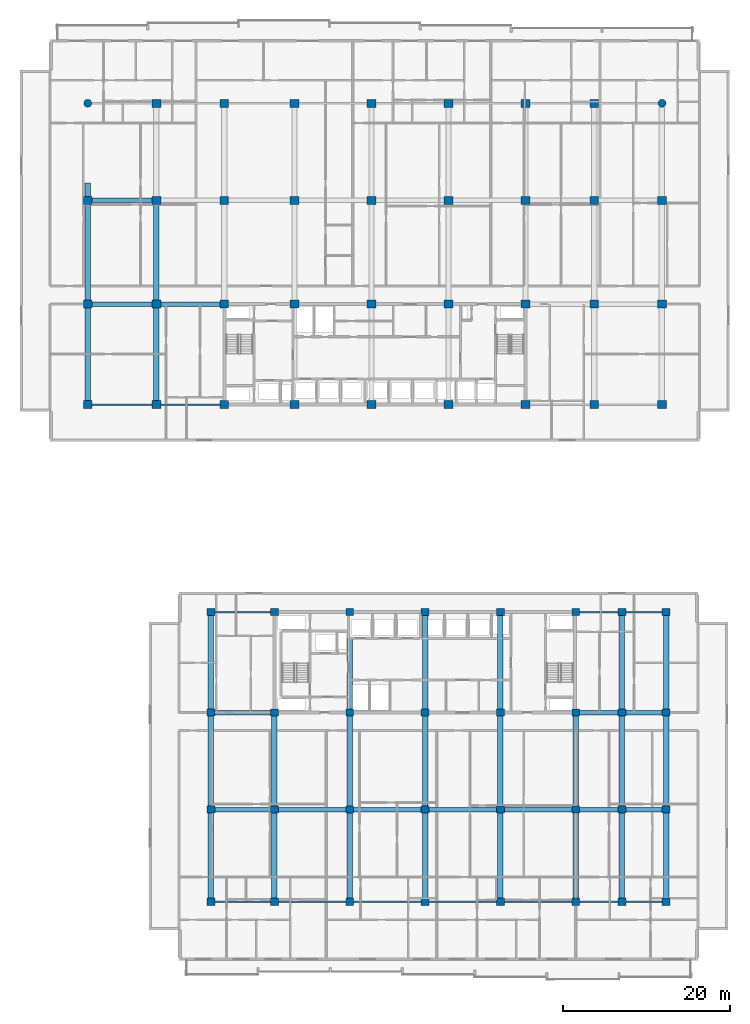
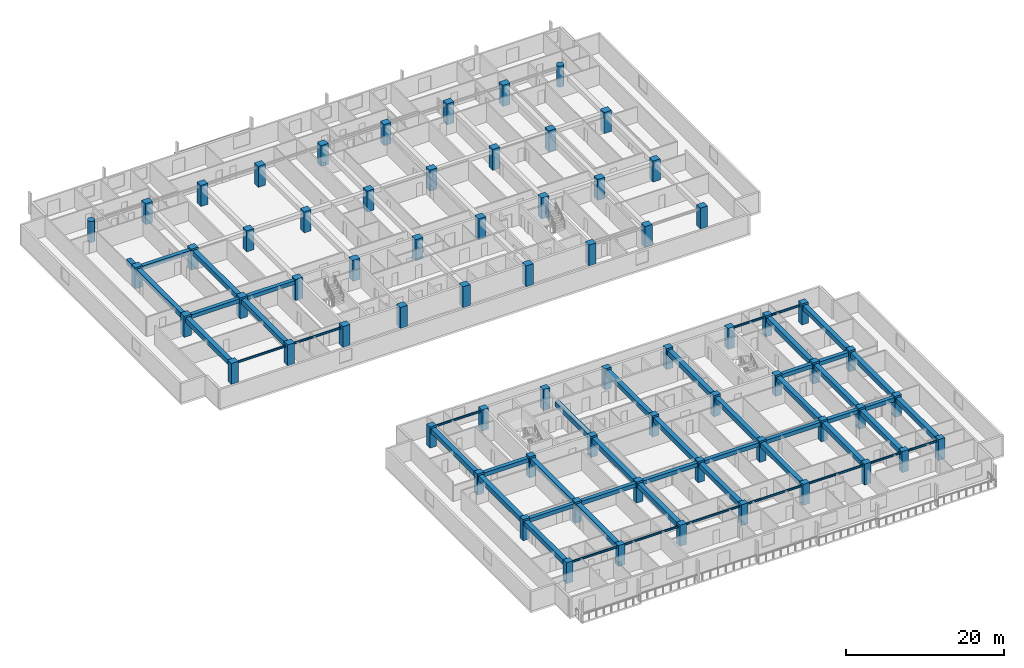
# One storey, part 1 of 23: 68 columns, 52 beams.
"""IFC4 building model written with IfcOpenShell, lengths in metres."""

from ifc_helpers import new_model, si_unit, direction, frame, origin, origin_2d, place, context, subcontext, project, spatial, rectangle, circle, i_section, extrude, material, material_profile, profile_set, type_object, element, save


model = new_model("IFC4")

# Units and contexts
model_context = context("Model", 3, precision=1e-05, world=origin(), true_north=direction((0.0, 1.0)))
body_context = subcontext(model_context, "Body", "Model", "MODEL_VIEW")
ifc_project = project(units=[si_unit("LENGTHUNIT", "METRE"), si_unit("AREAUNIT", "SQUARE_METRE"), si_unit("VOLUMEUNIT", "CUBIC_METRE"), si_unit("PLANEANGLEUNIT", "RADIAN"), si_unit("MASSUNIT", "GRAM", prefix="KILO")], contexts=[model_context])

# Site, building, storey
site_placement = place(None, origin())
site = spatial("IfcSite", under=ifc_project, at=site_placement, CompositionType="ELEMENT")
building_placement = place(site_placement, origin())
building = spatial("IfcBuilding", under=site, at=building_placement, Name="Korimba Cascade Residences", CompositionType="ELEMENT")
storey_placement = place(building_placement, frame((0.0, 0.0, 72.75)))
storey = spatial("IfcBuildingStorey", under=building, at=storey_placement, Name="L20", CompositionType="ELEMENT", Elevation=72.75)

# Columns
ifc_material_1 = material(Name="Concrete C80/95", Category="concrete")
ifc_material_profile_1 = material_profile(ifc_material_1, rectangle(XDim=1.050048828125, YDim=0.949951171875, at=origin_2d()), Name="Concrete C80/95")
ifc_profile_set_1 = profile_set([ifc_material_profile_1], Name="Concrete C80/95")
column_type_1 = type_object("IfcColumnType", Name="COL-RC-1050", PredefinedType="COLUMN", material=ifc_profile_set_1)
for number, where, z_axis, x_axis, name in (
    (1, (59.800048828125, 55.199951171875, 0.0), (0.0, 0.0, 1.0), (1.0, 0.0, 0.0), "L20 Tower 1 Column 1.1"),
    (2, (59.800048828125, 67.199951171875, 0.0), (0.0, 0.0, 1.0), (1.0, 0.0, 0.0), "L20 Tower 1 Column 1.2"),
    (3, (59.800048828125, 79.60009765625, 0.0), (0.0, 0.0, 1.0), (1.0, 0.0, 0.0), "L20 Tower 1 Column 1.3"),
    (4, (68.0, 55.199951171875, 0.0), (0.0, 0.0, 1.0), (1.0, 0.0, 0.0), "L20 Tower 1 Column 2.1"),
    (5, (68.0, 67.199951171875, 0.0), (0.0, 0.0, 1.0), (1.0, 0.0, 0.0), "L20 Tower 1 Column 2.2"),
    (6, (68.0, 79.60009765625, 0.0), (0.0, 0.0, 1.0), (1.0, 0.0, 0.0), "L20 Tower 1 Column 2.3"),
    (7, (68.0, 91.199951171875, 0.0), (0.0, 0.0, 1.0), (1.0, 0.0, 0.0), "L20 Tower 1 Column 2.4"),
    (8, (76.10009765625, 55.199951171875, 0.0), (0.0, 0.0, 1.0), (1.0, 0.0, 0.0), "L20 Tower 1 Column 3.1"),
    (9, (76.10009765625, 67.199951171875, 0.0), (0.0, 0.0, 1.0), (1.0, 0.0, 0.0), "L20 Tower 1 Column 3.2"),
    (10, (76.10009765625, 79.60009765625, 0.0), (0.0, 0.0, 1.0), (1.0, 0.0, 0.0), "L20 Tower 1 Column 3.3"),
    (11, (76.10009765625, 91.199951171875, 0.0), (0.0, 0.0, 1.0), (1.0, 0.0, 0.0), "L20 Tower 1 Column 3.4"),
    (12, (84.5, 55.199951171875, 0.0), (0.0, 0.0, 1.0), (1.0, 0.0, 0.0), "L20 Tower 1 Column 4.1"),
    (13, (84.5, 67.199951171875, 0.0), (0.0, 0.0, 1.0), (1.0, 0.0, 0.0), "L20 Tower 1 Column 4.2"),
    (14, (84.5, 79.60009765625, 0.0), (0.0, 0.0, 1.0), (1.0, 0.0, 0.0), "L20 Tower 1 Column 4.3"),
    (15, (84.5, 91.199951171875, 0.0), (0.0, 0.0, 1.0), (1.0, 0.0, 0.0), "L20 Tower 1 Column 4.4"),
    (16, (93.699951171875, 55.199951171875, 0.0), (0.0, 0.0, 1.0), (1.0, 0.0, 0.0), "L20 Tower 1 Column 5.1"),
    (17, (93.699951171875, 67.199951171875, 0.0), (0.0, 0.0, 1.0), (1.0, 0.0, 0.0), "L20 Tower 1 Column 5.2"),
    (18, (93.699951171875, 79.60009765625, 0.0), (0.0, 0.0, 1.0), (1.0, 0.0, 0.0), "L20 Tower 1 Column 5.3"),
    (19, (93.699951171875, 91.199951171875, 0.0), (0.0, 0.0, 1.0), (1.0, 0.0, 0.0), "L20 Tower 1 Column 5.4"),
    (20, (102.89990234375, 55.199951171875, 0.0), (0.0, 0.0, 1.0), (1.0, 0.0, 0.0), "L20 Tower 1 Column 6.1"),
    (21, (102.89990234375, 67.199951171875, 0.0), (0.0, 0.0, 1.0), (1.0, 0.0, 0.0), "L20 Tower 1 Column 6.2"),
    (22, (102.89990234375, 79.60009765625, 0.0), (0.0, 0.0, 1.0), (1.0, 0.0, 0.0), "L20 Tower 1 Column 6.3"),
    (23, (102.89990234375, 91.199951171875, 0.0), (0.0, 0.0, 1.0), (1.0, 0.0, 0.0), "L20 Tower 1 Column 6.4"),
    (24, (112.10009765625, 55.199951171875, 0.0), (0.0, 0.0, 1.0), (1.0, 0.0, 0.0), "L20 Tower 1 Column 7.1"),
    (25, (112.10009765625, 67.199951171875, 0.0), (0.0, 0.0, 1.0), (1.0, 0.0, 0.0), "L20 Tower 1 Column 7.2"),
    (26, (112.10009765625, 79.60009765625, 0.0), (0.0, 0.0, 1.0), (1.0, 0.0, 0.0), "L20 Tower 1 Column 7.3"),
    (27, (112.10009765625, 91.199951171875, 0.0), (0.0, 0.0, 1.0), (1.0, 0.0, 0.0), "L20 Tower 1 Column 7.4"),
    (28, (120.300048828125, 55.199951171875, 0.0), (0.0, 0.0, 1.0), (1.0, 0.0, 0.0), "L20 Tower 1 Column 8.1"),
    (29, (120.300048828125, 67.199951171875, 0.0), (0.0, 0.0, 1.0), (1.0, 0.0, 0.0), "L20 Tower 1 Column 8.2"),
    (30, (120.300048828125, 79.60009765625, 0.0), (0.0, 0.0, 1.0), (1.0, 0.0, 0.0), "L20 Tower 1 Column 8.3"),
    (31, (120.300048828125, 91.199951171875, 0.0), (0.0, 0.0, 1.0), (1.0, 0.0, 0.0), "L20 Tower 1 Column 8.4"),
    (32, (128.39990234375, 55.199951171875, 0.0), (0.0, 0.0, 1.0), (1.0, 0.0, 0.0), "L20 Tower 1 Column 9.1"),
    (33, (128.39990234375, 67.199951171875, 0.0), (0.0, 0.0, 1.0), (1.0, 0.0, 0.0), "L20 Tower 1 Column 9.2"),
    (34, (128.39990234375, 79.60009765625, 0.0), (0.0, 0.0, 1.0), (1.0, 0.0, 0.0), "L20 Tower 1 Column 9.3"),
):
    element("IfcColumn", number, at=place(storey_placement, frame(where, z_axis=z_axis, x_axis=x_axis)), inside=storey, type_object=column_type_1, Name=name, PredefinedType="COLUMN", context=body_context, shape_type="SweptSolid", body=[
        extrude(rectangle(XDim=1.050048828125, YDim=0.949951171875, at=origin_2d()), origin(), (0.0, 0.0, 1.0), 3.25),
    ])
ifc_material_2 = material(Name="Concrete C65/80", Category="concrete")
ifc_material_profile_2 = material_profile(ifc_material_2, rectangle(XDim=0.949951171875, YDim=0.85009765625, at=origin_2d()), Name="Concrete C65/80")
ifc_profile_set_2 = profile_set([ifc_material_profile_2], Name="Concrete C65/80")
column_type_2 = type_object("IfcColumnType", Name="COL-RC-950", PredefinedType="COLUMN", material=ifc_profile_set_2)
for number, where, z_axis, x_axis, name in (
    (35, (74.5, -4.199951171875, 0.0), (0.0, 0.0, 1.0), (1.0, 0.0, 0.0), "L20 Tower 2 Column 1.1"),
    (36, (74.5, 6.800048828125, 0.0), (0.0, 0.0, 1.0), (1.0, 0.0, 0.0), "L20 Tower 2 Column 1.2"),
    (37, (74.5, 18.39990234375, 0.0), (0.0, 0.0, 1.0), (1.0, 0.0, 0.0), "L20 Tower 2 Column 1.3"),
    (38, (74.5, 30.39990234375, 0.0), (0.0, 0.0, 1.0), (1.0, 0.0, 0.0), "L20 Tower 2 Column 1.4"),
    (39, (82.10009765625, -4.199951171875, 0.0), (0.0, 0.0, 1.0), (1.0, 0.0, 0.0), "L20 Tower 2 Column 2.1"),
    (40, (82.10009765625, 6.800048828125, 0.0), (0.0, 0.0, 1.0), (1.0, 0.0, 0.0), "L20 Tower 2 Column 2.2"),
    (41, (82.10009765625, 18.39990234375, 0.0), (0.0, 0.0, 1.0), (1.0, 0.0, 0.0), "L20 Tower 2 Column 2.3"),
    (42, (82.10009765625, 30.39990234375, 0.0), (0.0, 0.0, 1.0), (1.0, 0.0, 0.0), "L20 Tower 2 Column 2.4"),
    (43, (91.10009765625, -4.199951171875, 0.0), (0.0, 0.0, 1.0), (1.0, 0.0, 0.0), "L20 Tower 2 Column 3.1"),
    (44, (91.10009765625, 6.800048828125, 0.0), (0.0, 0.0, 1.0), (1.0, 0.0, 0.0), "L20 Tower 2 Column 3.2"),
    (45, (91.10009765625, 18.39990234375, 0.0), (0.0, 0.0, 1.0), (1.0, 0.0, 0.0), "L20 Tower 2 Column 3.3"),
    (46, (91.10009765625, 30.39990234375, 0.0), (0.0, 0.0, 1.0), (1.0, 0.0, 0.0), "L20 Tower 2 Column 3.4"),
    (47, (100.10009765625, -4.199951171875, 0.0), (0.0, 0.0, 1.0), (1.0, 0.0, 0.0), "L20 Tower 2 Column 4.1"),
    (48, (100.10009765625, 6.800048828125, 0.0), (0.0, 0.0, 1.0), (1.0, 0.0, 0.0), "L20 Tower 2 Column 4.2"),
    (49, (100.10009765625, 18.39990234375, 0.0), (0.0, 0.0, 1.0), (1.0, 0.0, 0.0), "L20 Tower 2 Column 4.3"),
    (50, (100.10009765625, 30.39990234375, 0.0), (0.0, 0.0, 1.0), (1.0, 0.0, 0.0), "L20 Tower 2 Column 4.4"),
    (51, (109.10009765625, -4.199951171875, 0.0), (0.0, 0.0, 1.0), (1.0, 0.0, 0.0), "L20 Tower 2 Column 5.1"),
    (52, (109.10009765625, 6.800048828125, 0.0), (0.0, 0.0, 1.0), (1.0, 0.0, 0.0), "L20 Tower 2 Column 5.2"),
    (53, (109.10009765625, 18.39990234375, 0.0), (0.0, 0.0, 1.0), (1.0, 0.0, 0.0), "L20 Tower 2 Column 5.3"),
    (54, (109.10009765625, 30.39990234375, 0.0), (0.0, 0.0, 1.0), (1.0, 0.0, 0.0), "L20 Tower 2 Column 5.4"),
    (55, (118.10009765625, -4.199951171875, 0.0), (0.0, 0.0, 1.0), (1.0, 0.0, 0.0), "L20 Tower 2 Column 6.1"),
    (56, (118.10009765625, 6.800048828125, 0.0), (0.0, 0.0, 1.0), (1.0, 0.0, 0.0), "L20 Tower 2 Column 6.2"),
    (57, (118.10009765625, 18.39990234375, 0.0), (0.0, 0.0, 1.0), (1.0, 0.0, 0.0), "L20 Tower 2 Column 6.3"),
    (58, (118.10009765625, 30.39990234375, 0.0), (0.0, 0.0, 1.0), (1.0, 0.0, 0.0), "L20 Tower 2 Column 6.4"),
    (59, (123.60009765625, -4.199951171875, 0.0), (0.0, 0.0, 1.0), (1.0, 0.0, 0.0), "L20 Tower 2 Column 7.1"),
    (60, (123.60009765625, 6.800048828125, 0.0), (0.0, 0.0, 1.0), (1.0, 0.0, 0.0), "L20 Tower 2 Column 7.2"),
    (61, (123.60009765625, 18.39990234375, 0.0), (0.0, 0.0, 1.0), (1.0, 0.0, 0.0), "L20 Tower 2 Column 7.3"),
    (62, (123.60009765625, 30.39990234375, 0.0), (0.0, 0.0, 1.0), (1.0, 0.0, 0.0), "L20 Tower 2 Column 7.4"),
    (63, (128.89990234375, -4.199951171875, 0.0), (0.0, 0.0, 1.0), (1.0, 0.0, 0.0), "L20 Tower 2 Column 8.1"),
    (64, (128.89990234375, 6.800048828125, 0.0), (0.0, 0.0, 1.0), (1.0, 0.0, 0.0), "L20 Tower 2 Column 8.2"),
    (65, (128.89990234375, 18.39990234375, 0.0), (0.0, 0.0, 1.0), (1.0, 0.0, 0.0), "L20 Tower 2 Column 8.3"),
    (66, (128.89990234375, 30.39990234375, 0.0), (0.0, 0.0, 1.0), (1.0, 0.0, 0.0), "L20 Tower 2 Column 8.4"),
):
    element("IfcColumn", number, at=place(storey_placement, frame(where, z_axis=z_axis, x_axis=x_axis)), inside=storey, type_object=column_type_2, Name=name, PredefinedType="COLUMN", context=body_context, shape_type="SweptSolid", body=[
        extrude(rectangle(XDim=0.949951171875, YDim=0.85009765625, at=origin_2d()), origin(), (0.0, 0.0, 1.0), 3.25),
    ])
ifc_material_profile_3 = material_profile(ifc_material_1, circle(Radius=0.47509765625, at=origin_2d()), Name="Concrete C80/95")
ifc_profile_set_3 = profile_set([ifc_material_profile_3], Name="Concrete C80/95")
column_type_3 = type_object("IfcColumnType", Name="COL-RC-D950", PredefinedType="COLUMN", material=ifc_profile_set_3)
for number, where, z_axis, x_axis, name in (
    (67, (59.800048828125, 91.199951171875, 0.0), (0.0, 0.0, 1.0), (1.0, 0.0, 0.0), "L20 Tower 1 Column 1.4"),
    (68, (128.39990234375, 91.199951171875, 0.0), (0.0, 0.0, 1.0), (1.0, 0.0, 0.0), "L20 Tower 1 Column 9.4"),
):
    element("IfcColumn", number, at=place(storey_placement, frame(where, z_axis=z_axis, x_axis=x_axis)), inside=storey, type_object=column_type_3, Name=name, PredefinedType="COLUMN", context=body_context, shape_type="SweptSolid", body=[
        extrude(circle(Radius=0.47509765625, at=origin_2d()), origin(), (0.0, 0.0, 1.0), 3.25),
    ])

# Beams
ifc_material_3 = material(Name="Concrete C50/60", Category="concrete")
ifc_material_profile_4 = material_profile(ifc_material_3, rectangle(XDim=0.550048828125, YDim=0.60009765625, at=origin_2d()), Name="Concrete C50/60")
ifc_profile_set_4 = profile_set([ifc_material_profile_4], Name="Concrete C50/60")
beam_type_1 = type_object("IfcBeamType", Name="BM-RC-B600", PredefinedType="BEAM", material=ifc_profile_set_4)
beam_1_placement = place(storey_placement, frame((60.324951171875, 67.199951171875, 2.669921875), z_axis=(1.0, 0.0, 0.0), x_axis=(0.0, 1.0, 0.0)))
element("IfcBeam", 69, at=beam_1_placement, inside=storey, type_object=beam_type_1, Name="L20 T1 E-W Girder Y2 Bay 1", PredefinedType="BEAM", context=body_context, shape_type="SweptSolid", body=[
    extrude(rectangle(XDim=0.550048828125, YDim=0.60009765625, at=origin_2d()), origin(), (0.0, 0.0, 1.0), 7.150146484375),
])
beam_2_placement = place(storey_placement, frame((68.52490234375, 67.199951171875, 2.669921875), z_axis=(1.0, 0.0, 0.0), x_axis=(0.0, 1.0, 0.0)))
element("IfcBeam", 70, at=beam_2_placement, inside=storey, type_object=beam_type_1, Name="L20 T1 E-W Girder Y2 Bay 2", PredefinedType="BEAM", context=body_context, shape_type="SweptSolid", body=[
    extrude(rectangle(XDim=0.550048828125, YDim=0.60009765625, at=origin_2d()), origin(), (0.0, 0.0, 1.0), 7.050048828125),
])
beam_3_placement = place(storey_placement, frame((60.324951171875, 79.60009765625, 2.669921875), z_axis=(1.0, 0.0, 0.0), x_axis=(0.0, 1.0, 0.0)))
element("IfcBeam", 71, at=beam_3_placement, inside=storey, type_object=beam_type_1, Name="L20 T1 E-W Girder Y3 Bay 1", PredefinedType="BEAM", context=body_context, shape_type="SweptSolid", body=[
    extrude(rectangle(XDim=0.550048828125, YDim=0.60009765625, at=origin_2d()), origin(), (0.0, 0.0, 1.0), 7.150146484375),
])
beam_4_placement = place(storey_placement, frame((74.97509765625, 6.800048828125, 2.669921875), z_axis=(1.0, 0.0, 0.0), x_axis=(0.0, 1.0, 0.0)))
element("IfcBeam", 72, at=beam_4_placement, inside=storey, type_object=beam_type_1, Name="L20 T2 E-W Girder Y2 Bay 1", PredefinedType="BEAM", context=body_context, shape_type="SweptSolid", body=[
    extrude(rectangle(XDim=0.550048828125, YDim=0.60009765625, at=origin_2d()), origin(), (0.0, 0.0, 1.0), 6.64990234375),
])
for number, where, z_axis, x_axis, name in (
    (73, (82.574951171875, 6.800048828125, 2.669921875), (1.0, 0.0, 0.0), (0.0, 1.0, 0.0), "L20 T2 E-W Girder Y2 Bay 2"),
    (74, (91.574951171875, 6.800048828125, 2.669921875), (1.0, 0.0, 0.0), (0.0, 1.0, 0.0), "L20 T2 E-W Girder Y2 Bay 3"),
    (75, (100.574951171875, 6.800048828125, 2.669921875), (1.0, 0.0, 0.0), (0.0, 1.0, 0.0), "L20 T2 E-W Girder Y2 Bay 4"),
    (76, (109.574951171875, 6.800048828125, 2.669921875), (1.0, 0.0, 0.0), (0.0, 1.0, 0.0), "L20 T2 E-W Girder Y2 Bay 5"),
):
    element("IfcBeam", number, at=place(storey_placement, frame(where, z_axis=z_axis, x_axis=x_axis)), inside=storey, type_object=beam_type_1, Name=name, PredefinedType="BEAM", context=body_context, shape_type="SweptSolid", body=[
        extrude(rectangle(XDim=0.550048828125, YDim=0.60009765625, at=origin_2d()), origin(), (0.0, 0.0, 1.0), 8.050048828125),
    ])
beam_5_placement = place(storey_placement, frame((118.574951171875, 6.800048828125, 2.669921875), z_axis=(1.0, 0.0, 0.0), x_axis=(0.0, 1.0, 0.0)))
element("IfcBeam", 77, at=beam_5_placement, inside=storey, type_object=beam_type_1, Name="L20 T2 E-W Girder Y2 Bay 6", PredefinedType="BEAM", context=body_context, shape_type="SweptSolid", body=[
    extrude(rectangle(XDim=0.550048828125, YDim=0.60009765625, at=origin_2d()), origin(), (0.0, 0.0, 1.0), 4.550048828125),
])
beam_6_placement = place(storey_placement, frame((124.074951171875, 6.800048828125, 2.669921875), z_axis=(1.0, 0.0, 0.0), x_axis=(0.0, 1.0, 0.0)))
element("IfcBeam", 78, at=beam_6_placement, inside=storey, type_object=beam_type_1, Name="L20 T2 E-W Girder Y2 Bay 7", PredefinedType="BEAM", context=body_context, shape_type="SweptSolid", body=[
    extrude(rectangle(XDim=0.550048828125, YDim=0.60009765625, at=origin_2d()), origin(), (0.0, 0.0, 1.0), 4.35009765625),
])
beam_7_placement = place(storey_placement, frame((74.97509765625, 18.39990234375, 2.669921875), z_axis=(1.0, 0.0, 0.0), x_axis=(0.0, 1.0, 0.0)))
element("IfcBeam", 79, at=beam_7_placement, inside=storey, type_object=beam_type_1, Name="L20 T2 E-W Girder Y3 Bay 1", PredefinedType="BEAM", context=body_context, shape_type="SweptSolid", body=[
    extrude(rectangle(XDim=0.550048828125, YDim=0.60009765625, at=origin_2d()), origin(), (0.0, 0.0, 1.0), 6.64990234375),
])
beam_8_placement = place(storey_placement, frame((118.574951171875, 18.39990234375, 2.669921875), z_axis=(1.0, 0.0, 0.0), x_axis=(0.0, 1.0, 0.0)))
element("IfcBeam", 80, at=beam_8_placement, inside=storey, type_object=beam_type_1, Name="L20 T2 E-W Girder Y3 Bay 6", PredefinedType="BEAM", context=body_context, shape_type="SweptSolid", body=[
    extrude(rectangle(XDim=0.550048828125, YDim=0.60009765625, at=origin_2d()), origin(), (0.0, 0.0, 1.0), 4.550048828125),
])
beam_9_placement = place(storey_placement, frame((124.074951171875, 18.39990234375, 2.669921875), z_axis=(1.0, 0.0, 0.0), x_axis=(0.0, 1.0, 0.0)))
element("IfcBeam", 81, at=beam_9_placement, inside=storey, type_object=beam_type_1, Name="L20 T2 E-W Girder Y3 Bay 7", PredefinedType="BEAM", context=body_context, shape_type="SweptSolid", body=[
    extrude(rectangle(XDim=0.550048828125, YDim=0.60009765625, at=origin_2d()), origin(), (0.0, 0.0, 1.0), 4.35009765625),
])
ifc_material_profile_5 = material_profile(ifc_material_3, rectangle(XDim=0.64990234375, YDim=0.75, at=origin_2d()), Name="Concrete C50/60")
ifc_profile_set_5 = profile_set([ifc_material_profile_5], Name="Concrete C50/60")
beam_type_2 = type_object("IfcBeamType", Name="BM-RC-G750", PredefinedType="BEAM", material=ifc_profile_set_5)
beam_10_placement = place(storey_placement, frame((59.800048828125, 55.675048828125, 2.594970703125), z_axis=(0.0, 1.0, 0.0), x_axis=(-1.0, 0.0, 0.0)))
element("IfcBeam", 82, at=beam_10_placement, inside=storey, type_object=beam_type_2, Name="L20 T1 N-S Girder X1 Seg 1", PredefinedType="BEAM", context=body_context, shape_type="SweptSolid", body=[
    extrude(rectangle(XDim=0.64990234375, YDim=0.75, at=origin_2d()), origin(), (0.0, 0.0, 1.0), 11.050048828125),
])
beam_11_placement = place(storey_placement, frame((59.800048828125, 67.675048828125, 2.594970703125), z_axis=(0.0, 1.0, 0.0), x_axis=(-1.0, 0.0, 0.0)))
element("IfcBeam", 83, at=beam_11_placement, inside=storey, type_object=beam_type_2, Name="L20 T1 N-S Girder X1 Seg 2", PredefinedType="BEAM", context=body_context, shape_type="SweptSolid", body=[
    extrude(rectangle(XDim=0.64990234375, YDim=0.75, at=origin_2d()), origin(), (0.0, 0.0, 1.0), 11.449951171875),
])
beam_12_placement = place(storey_placement, frame((59.800048828125, 80.074951171875, 2.594970703125), z_axis=(0.0, 1.0, 0.0), x_axis=(-1.0, 0.0, 0.0)))
element("IfcBeam", 84, at=beam_12_placement, inside=storey, type_object=beam_type_2, Name="L20 T1 N-S Girder X1 Seg 3", PredefinedType="BEAM", context=body_context, shape_type="SweptSolid", body=[
    extrude(rectangle(XDim=0.64990234375, YDim=0.75, at=origin_2d()), origin(), (0.0, 0.0, 1.0), 1.625),
])
beam_13_placement = place(storey_placement, frame((68.0, 55.675048828125, 2.594970703125), z_axis=(0.0, 1.0, 0.0), x_axis=(-1.0, 0.0, 0.0)))
element("IfcBeam", 85, at=beam_13_placement, inside=storey, type_object=beam_type_2, Name="L20 T1 N-S Girder X2 Seg 1", PredefinedType="BEAM", context=body_context, shape_type="SweptSolid", body=[
    extrude(rectangle(XDim=0.64990234375, YDim=0.75, at=origin_2d()), origin(), (0.0, 0.0, 1.0), 11.050048828125),
])
beam_14_placement = place(storey_placement, frame((68.0, 67.675048828125, 2.594970703125), z_axis=(0.0, 1.0, 0.0), x_axis=(-1.0, 0.0, 0.0)))
element("IfcBeam", 86, at=beam_14_placement, inside=storey, type_object=beam_type_2, Name="L20 T1 N-S Girder X2 Seg 2", PredefinedType="BEAM", context=body_context, shape_type="SweptSolid", body=[
    extrude(rectangle(XDim=0.64990234375, YDim=0.75, at=origin_2d()), origin(), (0.0, 0.0, 1.0), 11.449951171875),
])
beam_15_placement = place(storey_placement, frame((74.5, -3.77490234375, 2.594970703125), z_axis=(0.0, 1.0, 0.0), x_axis=(-1.0, 0.0, 0.0)))
element("IfcBeam", 87, at=beam_15_placement, inside=storey, type_object=beam_type_2, Name="L20 T2 N-S Girder X1 Seg 1", PredefinedType="BEAM", context=body_context, shape_type="SweptSolid", body=[
    extrude(rectangle(XDim=0.64990234375, YDim=0.75, at=origin_2d()), origin(), (0.0, 0.0, 1.0), 10.14990234375),
])
beam_16_placement = place(storey_placement, frame((74.5, 7.22509765625, 2.594970703125), z_axis=(0.0, 1.0, 0.0), x_axis=(-1.0, 0.0, 0.0)))
element("IfcBeam", 88, at=beam_16_placement, inside=storey, type_object=beam_type_2, Name="L20 T2 N-S Girder X1 Seg 2", PredefinedType="BEAM", context=body_context, shape_type="SweptSolid", body=[
    extrude(rectangle(XDim=0.64990234375, YDim=0.75, at=origin_2d()), origin(), (0.0, 0.0, 1.0), 10.75),
])
beam_17_placement = place(storey_placement, frame((74.5, 18.824951171875, 2.594970703125), z_axis=(0.0, 1.0, 0.0), x_axis=(-1.0, 0.0, 0.0)))
element("IfcBeam", 89, at=beam_17_placement, inside=storey, type_object=beam_type_2, Name="L20 T2 N-S Girder X1 Seg 3", PredefinedType="BEAM", context=body_context, shape_type="SweptSolid", body=[
    extrude(rectangle(XDim=0.64990234375, YDim=0.75, at=origin_2d()), origin(), (0.0, 0.0, 1.0), 11.150146484375),
])
beam_18_placement = place(storey_placement, frame((82.10009765625, -3.77490234375, 2.594970703125), z_axis=(0.0, 1.0, 0.0), x_axis=(-1.0, 0.0, 0.0)))
element("IfcBeam", 90, at=beam_18_placement, inside=storey, type_object=beam_type_2, Name="L20 T2 N-S Girder X2 Seg 1", PredefinedType="BEAM", context=body_context, shape_type="SweptSolid", body=[
    extrude(rectangle(XDim=0.64990234375, YDim=0.75, at=origin_2d()), origin(), (0.0, 0.0, 1.0), 10.14990234375),
])
beam_19_placement = place(storey_placement, frame((82.10009765625, 7.22509765625, 2.594970703125), z_axis=(0.0, 1.0, 0.0), x_axis=(-1.0, 0.0, 0.0)))
element("IfcBeam", 91, at=beam_19_placement, inside=storey, type_object=beam_type_2, Name="L20 T2 N-S Girder X2 Seg 2", PredefinedType="BEAM", context=body_context, shape_type="SweptSolid", body=[
    extrude(rectangle(XDim=0.64990234375, YDim=0.75, at=origin_2d()), origin(), (0.0, 0.0, 1.0), 10.75),
])
beam_20_placement = place(storey_placement, frame((91.10009765625, -3.77490234375, 2.594970703125), z_axis=(0.0, 1.0, 0.0), x_axis=(-1.0, 0.0, 0.0)))
element("IfcBeam", 92, at=beam_20_placement, inside=storey, type_object=beam_type_2, Name="L20 T2 N-S Girder X3 Seg 1", PredefinedType="BEAM", context=body_context, shape_type="SweptSolid", body=[
    extrude(rectangle(XDim=0.64990234375, YDim=0.75, at=origin_2d()), origin(), (0.0, 0.0, 1.0), 10.14990234375),
])
beam_21_placement = place(storey_placement, frame((91.10009765625, 7.22509765625, 2.594970703125), z_axis=(0.0, 1.0, 0.0), x_axis=(-1.0, 0.0, 0.0)))
element("IfcBeam", 93, at=beam_21_placement, inside=storey, type_object=beam_type_2, Name="L20 T2 N-S Girder X3 Seg 2", PredefinedType="BEAM", context=body_context, shape_type="SweptSolid", body=[
    extrude(rectangle(XDim=0.64990234375, YDim=0.75, at=origin_2d()), origin(), (0.0, 0.0, 1.0), 10.75),
])
beam_22_placement = place(storey_placement, frame((91.10009765625, 18.824951171875, 2.594970703125), z_axis=(0.0, 1.0, 0.0), x_axis=(-1.0, 0.0, 0.0)))
element("IfcBeam", 94, at=beam_22_placement, inside=storey, type_object=beam_type_2, Name="L20 T2 N-S Girder X3 Seg 3", PredefinedType="BEAM", context=body_context, shape_type="SweptSolid", body=[
    extrude(rectangle(XDim=0.64990234375, YDim=0.75, at=origin_2d()), origin(), (0.0, 0.0, 1.0), 8.51513671875),
])
beam_23_placement = place(storey_placement, frame((100.10009765625, -3.77490234375, 2.594970703125), z_axis=(0.0, 1.0, 0.0), x_axis=(-1.0, 0.0, 0.0)))
element("IfcBeam", 95, at=beam_23_placement, inside=storey, type_object=beam_type_2, Name="L20 T2 N-S Girder X4 Seg 1", PredefinedType="BEAM", context=body_context, shape_type="SweptSolid", body=[
    extrude(rectangle(XDim=0.64990234375, YDim=0.75, at=origin_2d()), origin(), (0.0, 0.0, 1.0), 10.14990234375),
])
beam_24_placement = place(storey_placement, frame((100.10009765625, 7.22509765625, 2.594970703125), z_axis=(0.0, 1.0, 0.0), x_axis=(-1.0, 0.0, 0.0)))
element("IfcBeam", 96, at=beam_24_placement, inside=storey, type_object=beam_type_2, Name="L20 T2 N-S Girder X4 Seg 2", PredefinedType="BEAM", context=body_context, shape_type="SweptSolid", body=[
    extrude(rectangle(XDim=0.64990234375, YDim=0.75, at=origin_2d()), origin(), (0.0, 0.0, 1.0), 10.75),
])
beam_25_placement = place(storey_placement, frame((100.10009765625, 18.824951171875, 2.594970703125), z_axis=(0.0, 1.0, 0.0), x_axis=(-1.0, 0.0, 0.0)))
element("IfcBeam", 97, at=beam_25_placement, inside=storey, type_object=beam_type_2, Name="L20 T2 N-S Girder X4 Seg 3", PredefinedType="BEAM", context=body_context, shape_type="SweptSolid", body=[
    extrude(rectangle(XDim=0.64990234375, YDim=0.75, at=origin_2d()), origin(), (0.0, 0.0, 1.0), 11.150146484375),
])
beam_26_placement = place(storey_placement, frame((109.10009765625, -3.77490234375, 2.594970703125), z_axis=(0.0, 1.0, 0.0), x_axis=(-1.0, 0.0, 0.0)))
element("IfcBeam", 98, at=beam_26_placement, inside=storey, type_object=beam_type_2, Name="L20 T2 N-S Girder X5 Seg 1", PredefinedType="BEAM", context=body_context, shape_type="SweptSolid", body=[
    extrude(rectangle(XDim=0.64990234375, YDim=0.75, at=origin_2d()), origin(), (0.0, 0.0, 1.0), 10.14990234375),
])
beam_27_placement = place(storey_placement, frame((109.10009765625, 7.22509765625, 2.594970703125), z_axis=(0.0, 1.0, 0.0), x_axis=(-1.0, 0.0, 0.0)))
element("IfcBeam", 99, at=beam_27_placement, inside=storey, type_object=beam_type_2, Name="L20 T2 N-S Girder X5 Seg 2", PredefinedType="BEAM", context=body_context, shape_type="SweptSolid", body=[
    extrude(rectangle(XDim=0.64990234375, YDim=0.75, at=origin_2d()), origin(), (0.0, 0.0, 1.0), 10.75),
])
beam_28_placement = place(storey_placement, frame((109.10009765625, 18.824951171875, 2.594970703125), z_axis=(0.0, 1.0, 0.0), x_axis=(-1.0, 0.0, 0.0)))
element("IfcBeam", 100, at=beam_28_placement, inside=storey, type_object=beam_type_2, Name="L20 T2 N-S Girder X5 Seg 3", PredefinedType="BEAM", context=body_context, shape_type="SweptSolid", body=[
    extrude(rectangle(XDim=0.64990234375, YDim=0.75, at=origin_2d()), origin(), (0.0, 0.0, 1.0), 11.150146484375),
])
beam_29_placement = place(storey_placement, frame((118.10009765625, -3.77490234375, 2.594970703125), z_axis=(0.0, 1.0, 0.0), x_axis=(-1.0, 0.0, 0.0)))
element("IfcBeam", 101, at=beam_29_placement, inside=storey, type_object=beam_type_2, Name="L20 T2 N-S Girder X6 Seg 1", PredefinedType="BEAM", context=body_context, shape_type="SweptSolid", body=[
    extrude(rectangle(XDim=0.64990234375, YDim=0.75, at=origin_2d()), origin(), (0.0, 0.0, 1.0), 10.14990234375),
])
beam_30_placement = place(storey_placement, frame((118.10009765625, 7.22509765625, 2.594970703125), z_axis=(0.0, 1.0, 0.0), x_axis=(-1.0, 0.0, 0.0)))
element("IfcBeam", 102, at=beam_30_placement, inside=storey, type_object=beam_type_2, Name="L20 T2 N-S Girder X6 Seg 2", PredefinedType="BEAM", context=body_context, shape_type="SweptSolid", body=[
    extrude(rectangle(XDim=0.64990234375, YDim=0.75, at=origin_2d()), origin(), (0.0, 0.0, 1.0), 10.75),
])
beam_31_placement = place(storey_placement, frame((123.60009765625, -3.77490234375, 2.594970703125), z_axis=(0.0, 1.0, 0.0), x_axis=(-1.0, 0.0, 0.0)))
element("IfcBeam", 103, at=beam_31_placement, inside=storey, type_object=beam_type_2, Name="L20 T2 N-S Girder X7 Seg 1", PredefinedType="BEAM", context=body_context, shape_type="SweptSolid", body=[
    extrude(rectangle(XDim=0.64990234375, YDim=0.75, at=origin_2d()), origin(), (0.0, 0.0, 1.0), 10.14990234375),
])
beam_32_placement = place(storey_placement, frame((123.60009765625, 7.22509765625, 2.594970703125), z_axis=(0.0, 1.0, 0.0), x_axis=(-1.0, 0.0, 0.0)))
element("IfcBeam", 104, at=beam_32_placement, inside=storey, type_object=beam_type_2, Name="L20 T2 N-S Girder X7 Seg 2", PredefinedType="BEAM", context=body_context, shape_type="SweptSolid", body=[
    extrude(rectangle(XDim=0.64990234375, YDim=0.75, at=origin_2d()), origin(), (0.0, 0.0, 1.0), 10.75),
])
beam_33_placement = place(storey_placement, frame((123.60009765625, 18.824951171875, 2.594970703125), z_axis=(0.0, 1.0, 0.0), x_axis=(-1.0, 0.0, 0.0)))
element("IfcBeam", 105, at=beam_33_placement, inside=storey, type_object=beam_type_2, Name="L20 T2 N-S Girder X7 Seg 3", PredefinedType="BEAM", context=body_context, shape_type="SweptSolid", body=[
    extrude(rectangle(XDim=0.64990234375, YDim=0.75, at=origin_2d()), origin(), (0.0, 0.0, 1.0), 11.150146484375),
])
beam_34_placement = place(storey_placement, frame((128.89990234375, -3.77490234375, 2.594970703125), z_axis=(0.0, 1.0, 0.0), x_axis=(-1.0, 0.0, 0.0)))
element("IfcBeam", 106, at=beam_34_placement, inside=storey, type_object=beam_type_2, Name="L20 T2 N-S Girder X8 Seg 1", PredefinedType="BEAM", context=body_context, shape_type="SweptSolid", body=[
    extrude(rectangle(XDim=0.64990234375, YDim=0.75, at=origin_2d()), origin(), (0.0, 0.0, 1.0), 10.14990234375),
])
beam_35_placement = place(storey_placement, frame((128.89990234375, 7.22509765625, 2.594970703125), z_axis=(0.0, 1.0, 0.0), x_axis=(-1.0, 0.0, 0.0)))
element("IfcBeam", 107, at=beam_35_placement, inside=storey, type_object=beam_type_2, Name="L20 T2 N-S Girder X8 Seg 2", PredefinedType="BEAM", context=body_context, shape_type="SweptSolid", body=[
    extrude(rectangle(XDim=0.64990234375, YDim=0.75, at=origin_2d()), origin(), (0.0, 0.0, 1.0), 10.75),
])
beam_36_placement = place(storey_placement, frame((128.89990234375, 18.824951171875, 2.594970703125), z_axis=(0.0, 1.0, 0.0), x_axis=(-1.0, 0.0, 0.0)))
element("IfcBeam", 108, at=beam_36_placement, inside=storey, type_object=beam_type_2, Name="L20 T2 N-S Girder X8 Seg 3", PredefinedType="BEAM", context=body_context, shape_type="SweptSolid", body=[
    extrude(rectangle(XDim=0.64990234375, YDim=0.75, at=origin_2d()), origin(), (0.0, 0.0, 1.0), 11.150146484375),
])
ifc_material_4 = material(Name="Steel S355", Category="steel")
ifc_material_profile_6 = material_profile(ifc_material_4, i_section(OverallWidth=0.165771484375, OverallDepth=0.306640625, WebThickness=0.006591796875, FlangeThickness=0.01171875, FilletRadius=0.0087890625, at=origin_2d()), Name="Steel S355")
ifc_profile_set_6 = profile_set([ifc_material_profile_6], Name="Steel S355")
beam_type_3 = type_object("IfcBeamType", Name="BM-STL-UB305", PredefinedType="SPANDREL", material=ifc_profile_set_6)
beam_37_placement = place(storey_placement, frame((60.324951171875, 55.199951171875, 2.816650390625), z_axis=(1.0, 0.0, 0.0), x_axis=(0.0, 1.0, 0.0)))
element("IfcBeam", 109, at=beam_37_placement, inside=storey, type_object=beam_type_3, Name="L20 T1 E-W Girder Y1 Bay 1", PredefinedType="SPANDREL", context=body_context, shape_type="SweptSolid", body=[
    extrude(i_section(OverallWidth=0.165771484375, OverallDepth=0.306640625, WebThickness=0.006591796875, FlangeThickness=0.01171875, FilletRadius=0.0087890625, at=origin_2d()), origin(), (0.0, 0.0, 1.0), 7.150146484375),
])
beam_38_placement = place(storey_placement, frame((68.52490234375, 55.199951171875, 2.816650390625), z_axis=(1.0, 0.0, 0.0), x_axis=(0.0, 1.0, 0.0)))
element("IfcBeam", 110, at=beam_38_placement, inside=storey, type_object=beam_type_3, Name="L20 T1 E-W Girder Y1 Bay 2", PredefinedType="SPANDREL", context=body_context, shape_type="SweptSolid", body=[
    extrude(i_section(OverallWidth=0.165771484375, OverallDepth=0.306640625, WebThickness=0.006591796875, FlangeThickness=0.01171875, FilletRadius=0.0087890625, at=origin_2d()), origin(), (0.0, 0.0, 1.0), 7.050048828125),
])
beam_39_placement = place(storey_placement, frame((74.97509765625, -4.199951171875, 2.816650390625), z_axis=(1.0, 0.0, 0.0), x_axis=(0.0, 1.0, 0.0)))
element("IfcBeam", 111, at=beam_39_placement, inside=storey, type_object=beam_type_3, Name="L20 T2 E-W Girder Y1 Bay 1", PredefinedType="SPANDREL", context=body_context, shape_type="SweptSolid", body=[
    extrude(i_section(OverallWidth=0.165771484375, OverallDepth=0.306640625, WebThickness=0.006591796875, FlangeThickness=0.01171875, FilletRadius=0.0087890625, at=origin_2d()), origin(), (0.0, 0.0, 1.0), 6.64990234375),
])
for number, where, z_axis, x_axis, name in (
    (112, (82.574951171875, -4.199951171875, 2.816650390625), (1.0, 0.0, 0.0), (0.0, 1.0, 0.0), "L20 T2 E-W Girder Y1 Bay 2"),
    (113, (91.574951171875, -4.199951171875, 2.816650390625), (1.0, 0.0, 0.0), (0.0, 1.0, 0.0), "L20 T2 E-W Girder Y1 Bay 3"),
    (114, (100.574951171875, -4.199951171875, 2.816650390625), (1.0, 0.0, 0.0), (0.0, 1.0, 0.0), "L20 T2 E-W Girder Y1 Bay 4"),
    (115, (109.574951171875, -4.199951171875, 2.816650390625), (1.0, 0.0, 0.0), (0.0, 1.0, 0.0), "L20 T2 E-W Girder Y1 Bay 5"),
):
    element("IfcBeam", number, at=place(storey_placement, frame(where, z_axis=z_axis, x_axis=x_axis)), inside=storey, type_object=beam_type_3, Name=name, PredefinedType="SPANDREL", context=body_context, shape_type="SweptSolid", body=[
        extrude(i_section(OverallWidth=0.165771484375, OverallDepth=0.306640625, WebThickness=0.006591796875, FlangeThickness=0.01171875, FilletRadius=0.0087890625, at=origin_2d()), origin(), (0.0, 0.0, 1.0), 8.050048828125),
    ])
beam_40_placement = place(storey_placement, frame((118.574951171875, -4.199951171875, 2.816650390625), z_axis=(1.0, 0.0, 0.0), x_axis=(0.0, 1.0, 0.0)))
element("IfcBeam", 116, at=beam_40_placement, inside=storey, type_object=beam_type_3, Name="L20 T2 E-W Girder Y1 Bay 6", PredefinedType="SPANDREL", context=body_context, shape_type="SweptSolid", body=[
    extrude(i_section(OverallWidth=0.165771484375, OverallDepth=0.306640625, WebThickness=0.006591796875, FlangeThickness=0.01171875, FilletRadius=0.0087890625, at=origin_2d()), origin(), (0.0, 0.0, 1.0), 4.550048828125),
])
beam_41_placement = place(storey_placement, frame((124.074951171875, -4.199951171875, 2.816650390625), z_axis=(1.0, 0.0, 0.0), x_axis=(0.0, 1.0, 0.0)))
element("IfcBeam", 117, at=beam_41_placement, inside=storey, type_object=beam_type_3, Name="L20 T2 E-W Girder Y1 Bay 7", PredefinedType="SPANDREL", context=body_context, shape_type="SweptSolid", body=[
    extrude(i_section(OverallWidth=0.165771484375, OverallDepth=0.306640625, WebThickness=0.006591796875, FlangeThickness=0.01171875, FilletRadius=0.0087890625, at=origin_2d()), origin(), (0.0, 0.0, 1.0), 4.35009765625),
])
beam_42_placement = place(storey_placement, frame((74.97509765625, 30.39990234375, 2.816650390625), z_axis=(1.0, 0.0, 0.0), x_axis=(0.0, 1.0, 0.0)))
element("IfcBeam", 118, at=beam_42_placement, inside=storey, type_object=beam_type_3, Name="L20 T2 E-W Girder Y4 Bay 1", PredefinedType="SPANDREL", context=body_context, shape_type="SweptSolid", body=[
    extrude(i_section(OverallWidth=0.165771484375, OverallDepth=0.306640625, WebThickness=0.006591796875, FlangeThickness=0.01171875, FilletRadius=0.0087890625, at=origin_2d()), origin(), (0.0, 0.0, 1.0), 6.64990234375),
])
beam_43_placement = place(storey_placement, frame((118.574951171875, 30.39990234375, 2.816650390625), z_axis=(1.0, 0.0, 0.0), x_axis=(0.0, 1.0, 0.0)))
element("IfcBeam", 119, at=beam_43_placement, inside=storey, type_object=beam_type_3, Name="L20 T2 E-W Girder Y4 Bay 6", PredefinedType="SPANDREL", context=body_context, shape_type="SweptSolid", body=[
    extrude(i_section(OverallWidth=0.165771484375, OverallDepth=0.306640625, WebThickness=0.006591796875, FlangeThickness=0.01171875, FilletRadius=0.0087890625, at=origin_2d()), origin(), (0.0, 0.0, 1.0), 4.550048828125),
])
beam_44_placement = place(storey_placement, frame((124.074951171875, 30.39990234375, 2.816650390625), z_axis=(1.0, 0.0, 0.0), x_axis=(0.0, 1.0, 0.0)))
element("IfcBeam", 120, at=beam_44_placement, inside=storey, type_object=beam_type_3, Name="L20 T2 E-W Girder Y4 Bay 7", PredefinedType="SPANDREL", context=body_context, shape_type="SweptSolid", body=[
    extrude(i_section(OverallWidth=0.165771484375, OverallDepth=0.306640625, WebThickness=0.006591796875, FlangeThickness=0.01171875, FilletRadius=0.0087890625, at=origin_2d()), origin(), (0.0, 0.0, 1.0), 4.35009765625),
])

save(model, "model.ifc")
